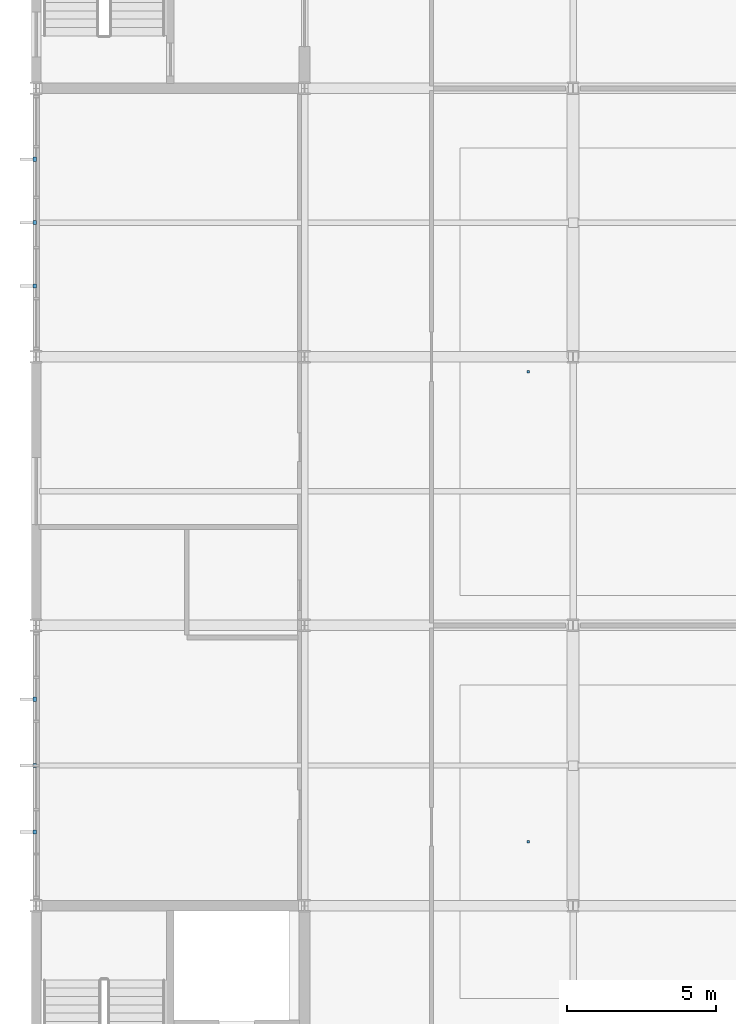
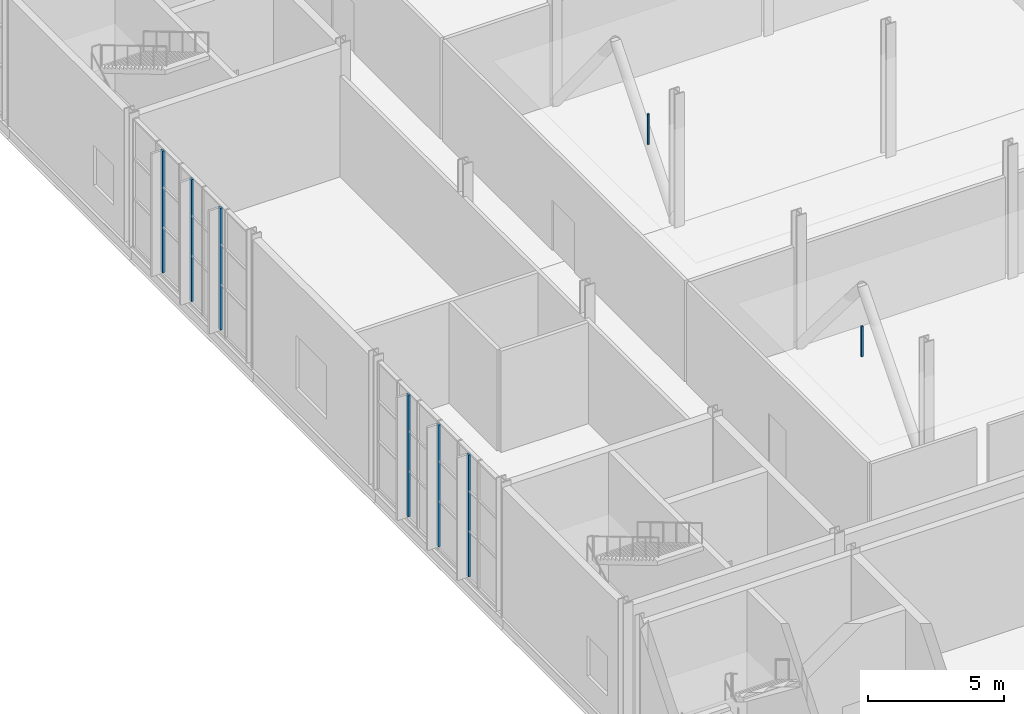
# One storey, part 131 of 159: 8 discrete accessories.
"""IFC4 building model written with IfcOpenShell, lengths in metres."""

from ifc_helpers import new_model, si_unit, direction, frame, origin, origin_2d, place, context, subcontext, project, spatial, rectangle, extrude, material, type_object, element, save


model = new_model("IFC4")

# Units and contexts
model_context = context("Model", 3, precision=1e-05, world=origin(), true_north=direction((0.0, 1.0)))
body_context = subcontext(model_context, "Body", "Model", "MODEL_VIEW")
ifc_project = project(units=[si_unit("LENGTHUNIT", "METRE"), si_unit("AREAUNIT", "SQUARE_METRE"), si_unit("VOLUMEUNIT", "CUBIC_METRE"), si_unit("PLANEANGLEUNIT", "RADIAN"), si_unit("MASSUNIT", "GRAM", prefix="KILO")], contexts=[model_context])

# Site, building, storey
site_placement = place(None, origin())
site = spatial("IfcSite", under=ifc_project, at=site_placement, CompositionType="ELEMENT")
building_placement = place(site_placement, origin())
building = spatial("IfcBuilding", under=site, at=building_placement, Name="Cazmaro Siding Exhibition Halls", CompositionType="ELEMENT")
storey_placement = place(building_placement, frame((0.0, 0.0, 6.0)))
storey = spatial("IfcBuildingStorey", under=building, at=storey_placement, Name="L01", CompositionType="ELEMENT", Elevation=6.0)

# Discrete accessories
ifc_material_1 = material(Name="Steel ASTM A572 Grade 50", Category="steel")
discrete_accessory_type_1 = type_object("IfcDiscreteAccessoryType", Name="SBK-01", PredefinedType="BRACKET", material=ifc_material_1)
for number, where, z_axis, x_axis, name in (
    (1, (-0.0400390625, 66.075927734375, 0.14990234375), (0.0, 0.0, 1.0), (1.0, 0.0, 0.0), "Solar Fin Steel Support Bracket SBK-01 013"),
    (2, (-0.0400390625, 68.300048828125, 0.14990234375), (0.0, 0.0, 1.0), (1.0, 0.0, 0.0), "Solar Fin Steel Support Bracket SBK-01 014"),
    (3, (-0.0400390625, 70.52294921875, 0.14990234375), (0.0, 0.0, 1.0), (1.0, 0.0, 0.0), "Solar Fin Steel Support Bracket SBK-01 015"),
    (4, (-0.0400390625, 84.3759765625, 0.14990234375), (0.0, 0.0, 1.0), (1.0, 0.0, 0.0), "Solar Fin Steel Support Bracket SBK-01 016"),
    (5, (-0.0400390625, 86.5, 0.14990234375), (0.0, 0.0, 1.0), (1.0, 0.0, 0.0), "Solar Fin Steel Support Bracket SBK-01 017"),
    (6, (-0.0400390625, 88.6240234375, 0.14990234375), (0.0, 0.0, 1.0), (1.0, 0.0, 0.0), "Solar Fin Steel Support Bracket SBK-01 018"),
):
    element("IfcDiscreteAccessory", number, at=place(storey_placement, frame(where, z_axis=z_axis, x_axis=x_axis)), inside=storey, type_object=discrete_accessory_type_1, Name=name, PredefinedType="BRACKET", context=body_context, shape_type="SweptSolid", body=[
        extrude(rectangle(XDim=0.1201171875, YDim=0.139892578125, at=origin_2d()), origin(), (0.0, 0.0, 1.0), 5.47998046875),
    ])
ifc_material_2 = material(Name="Steel ASTM A572 Grade 50", Category="steel")
discrete_accessory_type_2 = type_object("IfcDiscreteAccessoryType", Name="SBK-02", PredefinedType="BRACKET", material=ifc_material_2)
for number, where, z_axis, x_axis, name in (
    (7, (16.5, 65.75, 4.419921875), (0.0, 0.0, 1.0), (1.0, 0.0, 0.0), "Ceiling Cloud Hanger Bracket SBK-02 005"),
    (8, (16.5, 81.5, 4.419921875), (0.0, 0.0, 1.0), (1.0, 0.0, 0.0), "Ceiling Cloud Hanger Bracket SBK-02 007"),
):
    element("IfcDiscreteAccessory", number, at=place(storey_placement, frame(where, z_axis=z_axis, x_axis=x_axis)), inside=storey, type_object=discrete_accessory_type_2, Name=name, PredefinedType="BRACKET", context=body_context, shape_type="SweptSolid", body=[
        extrude(rectangle(XDim=0.080078125, YDim=0.080078125, at=origin_2d()), origin(), (0.0, 0.0, 1.0), 1.3701171875),
    ])

save(model, "model.ifc")
